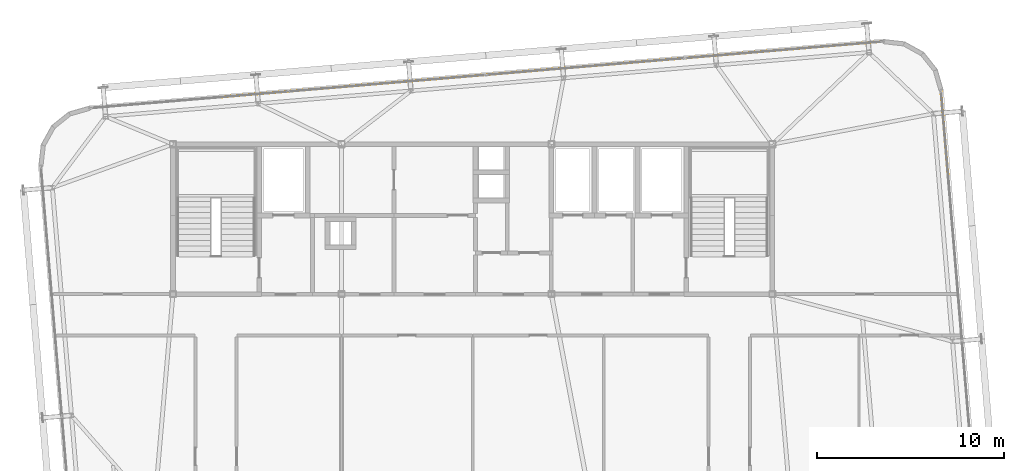
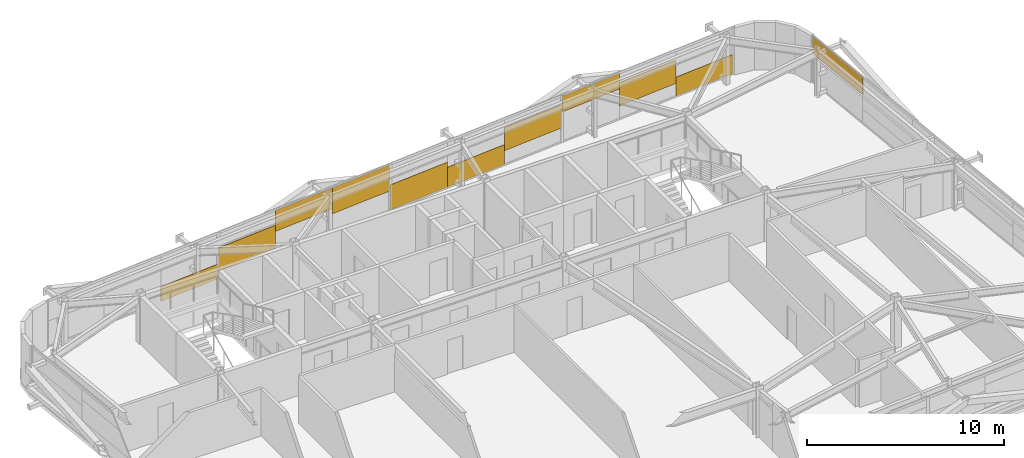
# One storey, part 37 of 37: 11 coverings.
"""IFC4 building model written with IfcOpenShell, lengths in metres."""

from ifc_helpers import new_model, si_unit, direction, frame, origin, origin_2d, place, context, subcontext, project, spatial, rectangle, extrude, source, transform, mapped, material, layer, layer_set, type_object, element, save


model = new_model("IFC4")

# Units and contexts
model_context = context("Model", 3, precision=1e-05, world=origin(), true_north=direction((0.0, 1.0)))
body_context = subcontext(model_context, "Body", "Model", "MODEL_VIEW")
ifc_project = project(units=[si_unit("LENGTHUNIT", "METRE"), si_unit("AREAUNIT", "SQUARE_METRE"), si_unit("VOLUMEUNIT", "CUBIC_METRE"), si_unit("PLANEANGLEUNIT", "RADIAN"), si_unit("MASSUNIT", "GRAM", prefix="KILO")], contexts=[model_context])

# Site, building, storey
site_placement = place(None, origin())
site = spatial("IfcSite", under=ifc_project, at=site_placement, CompositionType="ELEMENT")
building_placement = place(site_placement, origin())
building = spatial("IfcBuilding", under=site, at=building_placement, Name="Taldren Reach Tower", CompositionType="ELEMENT")
storey_placement = place(building_placement, frame((0.0, 0.0, 182.0)))
storey = spatial("IfcBuildingStorey", under=building, at=storey_placement, Name="L55", CompositionType="ELEMENT", Elevation=182.0)

# Coverings
ifc_material = material(Name="Pale Champagne Fluoropolymer Aluminium Spandrel Cladding", Category="aluminium")
ifc_layer = layer(ifc_material, 0.0439453125)
ifc_layer_set = layer_set([ifc_layer], Name="Pale Champagne Fluoropolymer Aluminium Spandrel Cladding")
covering_type = type_object("IfcCoveringType", Name="CV-CLAD-044", PredefinedType="CLADDING", material=ifc_layer_set)
shared_shape_1 = source(origin(), body_context, "Body", "SweptSolid", [
    extrude(rectangle(XDim=3.506591796875, YDim=0.0439453125, at=origin_2d()), origin(), (0.0, 0.0, 1.0), 1.177734375),
])
covering_1_placement = place(storey_placement, frame((55.097900390625, 37.32861328125, 0.06005859375), z_axis=(0.0, 0.0, 1.0), x_axis=(-0.99649285657, -0.083677875247, 0.0)))
element("IfcCovering", 1, at=covering_1_placement, inside=storey, type_object=covering_type, Name="Diagrid closure cladding strip CW-5 panel 1.1 1", PredefinedType="CLADDING", context=body_context, shape_type="MappedRepresentation", body=[
    mapped(shared_shape_1, transform((0.0, 0.0, 0.0), scale=1.0)),
])
shared_shape_2 = source(origin(), body_context, "Body", "SweptSolid", [
    extrude(rectangle(XDim=3.506591796875, YDim=0.0439453125, at=origin_2d()), origin(), (0.0, 0.0, 1.0), 1.42724609375),
])
covering_2_placement = place(storey_placement, frame((51.603515625, 37.03515625, 0.85205078125), z_axis=(0.0, 0.0, 1.0), x_axis=(-0.99649285657, -0.083677875247, 0.0)))
element("IfcCovering", 2, at=covering_2_placement, inside=storey, type_object=covering_type, Name="Diagrid closure cladding strip CW-5 panel 1.1 2", PredefinedType="CLADDING", context=body_context, shape_type="MappedRepresentation", body=[
    mapped(shared_shape_2, transform((0.0, 0.0, 0.0), scale=1.0)),
])
shared_shape_3 = source(origin(), body_context, "Body", "SweptSolid", [
    extrude(rectangle(XDim=3.506591796875, YDim=0.0439453125, at=origin_2d()), origin(), (0.0, 0.0, 1.0), 0.976318359375),
])
covering_3_placement = place(storey_placement, frame((48.109130859375, 36.74169921875, 1.8935546875), z_axis=(0.0, 0.0, 1.0), x_axis=(-0.99649285657, -0.083677875247, 0.0)))
element("IfcCovering", 3, at=covering_3_placement, inside=storey, type_object=covering_type, Name="Diagrid closure cladding strip CW-5 panel 1.1 3", PredefinedType="CLADDING", context=body_context, shape_type="MappedRepresentation", body=[
    mapped(shared_shape_3, transform((0.0, 0.0, 0.0), scale=1.0)),
])
shared_shape_4 = source(origin(), body_context, "Body", "SweptSolid", [
    extrude(rectangle(XDim=3.518310546875, YDim=0.0439453125, at=origin_2d()), origin(), (0.0, 0.0, 1.0), 1.4306640625),
])
for number, where, z_axis, x_axis, name in (
    (4, (44.539306640625, 36.44189453125, 0.9130859375), (0.0, 0.0, 1.0), (-0.99649285657, -0.083677875247, 0.0), "Diagrid closure cladding strip CW-5 panel 2.1 1"),
    (5, (26.939453125, 34.964111328125, 0.5263671875), (0.0, 0.0, 1.0), (-0.99649285657, -0.083677875247, 0.0), "Diagrid closure cladding strip CW-5 panel 3.1 3"),
):
    element("IfcCovering", number, at=place(storey_placement, frame(where, z_axis=z_axis, x_axis=x_axis)), inside=storey, type_object=covering_type, Name=name, PredefinedType="CLADDING", context=body_context, shape_type="MappedRepresentation", body=[
        mapped(shared_shape_4, transform((0.0, 0.0, 0.0), scale=1.0)),
    ])
shared_shape_5 = source(origin(), body_context, "Body", "SweptSolid", [
    extrude(rectangle(XDim=3.518310546875, YDim=0.0439453125, at=origin_2d()), origin(), (0.0, 0.0, 1.0), 1.238525390625),
])
covering_4_placement = place(storey_placement, frame((41.033203125, 36.1474609375, 0.06005859375), z_axis=(0.0, 0.0, 1.0), x_axis=(-0.99649285657, -0.083677875247, 0.0)))
element("IfcCovering", 6, at=covering_4_placement, inside=storey, type_object=covering_type, Name="Diagrid closure cladding strip CW-5 panel 2.1 2", PredefinedType="CLADDING", context=body_context, shape_type="MappedRepresentation", body=[
    mapped(shared_shape_5, transform((0.0, 0.0, 0.0), scale=1.0)),
])
shared_shape_6 = source(origin(), body_context, "Body", "SweptSolid", [
    extrude(rectangle(XDim=3.518310546875, YDim=0.0439453125, at=origin_2d()), origin(), (0.0, 0.0, 1.0), 1.557373046875),
])
covering_5_placement = place(storey_placement, frame((37.52734375, 35.85302734375, 0.06005859375), z_axis=(0.0, 0.0, 1.0), x_axis=(-0.99649285657, -0.083677875247, 0.0)))
element("IfcCovering", 7, at=covering_5_placement, inside=storey, type_object=covering_type, Name="Diagrid closure cladding strip CW-5 panel 2.1 3", PredefinedType="CLADDING", context=body_context, shape_type="MappedRepresentation", body=[
    mapped(shared_shape_6, transform((0.0, 0.0, 0.0), scale=1.0)),
])
shared_shape_7 = source(origin(), body_context, "Body", "SweptSolid", [
    extrude(rectangle(XDim=3.518310546875, YDim=0.0439453125, at=origin_2d()), origin(), (0.0, 0.0, 1.0), 1.617431640625),
])
covering_6_placement = place(storey_placement, frame((33.951416015625, 35.552734375, 1.25244140625), z_axis=(0.0, 0.0, 1.0), x_axis=(-0.99649285657, -0.083677875247, 0.0)))
element("IfcCovering", 8, at=covering_6_placement, inside=storey, type_object=covering_type, Name="Diagrid closure cladding strip CW-5 panel 3.1 1", PredefinedType="CLADDING", context=body_context, shape_type="MappedRepresentation", body=[
    mapped(shared_shape_7, transform((0.0, 0.0, 0.0), scale=1.0)),
])
shared_shape_8 = source(origin(), body_context, "Body", "SweptSolid", [
    extrude(rectangle(XDim=3.518310546875, YDim=0.0439453125, at=origin_2d()), origin(), (0.0, 0.0, 1.0), 1.298583984375),
])
covering_7_placement = place(storey_placement, frame((30.445556640625, 35.258544921875, 1.5712890625), z_axis=(0.0, 0.0, 1.0), x_axis=(-0.99649285657, -0.083677875247, 0.0)))
element("IfcCovering", 9, at=covering_7_placement, inside=storey, type_object=covering_type, Name="Diagrid closure cladding strip CW-5 panel 3.1 2", PredefinedType="CLADDING", context=body_context, shape_type="MappedRepresentation", body=[
    mapped(shared_shape_8, transform((0.0, 0.0, 0.0), scale=1.0)),
])
shared_shape_9 = source(origin(), body_context, "Body", "SweptSolid", [
    extrude(rectangle(XDim=3.506591796875, YDim=0.0439453125, at=origin_2d()), origin(), (0.0, 0.0, 1.0), 0.916259765625),
])
covering_8_placement = place(storey_placement, frame((23.36962890625, 34.664306640625, 0.06005859375), z_axis=(0.0, 0.0, 1.0), x_axis=(-0.99649285657, -0.083677875247, 0.0)))
element("IfcCovering", 10, at=covering_8_placement, inside=storey, type_object=covering_type, Name="Diagrid closure cladding strip CW-5 panel 4.1 1", PredefinedType="CLADDING", context=body_context, shape_type="MappedRepresentation", body=[
    mapped(shared_shape_9, transform((0.0, 0.0, 0.0), scale=1.0)),
])
shared_shape_10 = source(origin(), body_context, "Body", "SweptSolid", [
    extrude(rectangle(XDim=4.431640625, YDim=0.0439453125, at=origin_2d()), origin(), (0.0, 0.0, 1.0), 1.066162109375),
])
covering_9_placement = place(storey_placement, frame((60.1953125, 32.5927734375, 1.8037109375), z_axis=(0.0, 0.0, 1.0), x_axis=(-0.083677979808, 0.996492847789, 0.0)))
element("IfcCovering", 11, at=covering_9_placement, inside=storey, type_object=covering_type, Name="Diagrid closure cladding strip CW-5 panel 2.1 3", PredefinedType="CLADDING", context=body_context, shape_type="MappedRepresentation", body=[
    mapped(shared_shape_10, transform((0.0, 0.0, 0.0), scale=1.0)),
])

save(model, "model.ifc")
